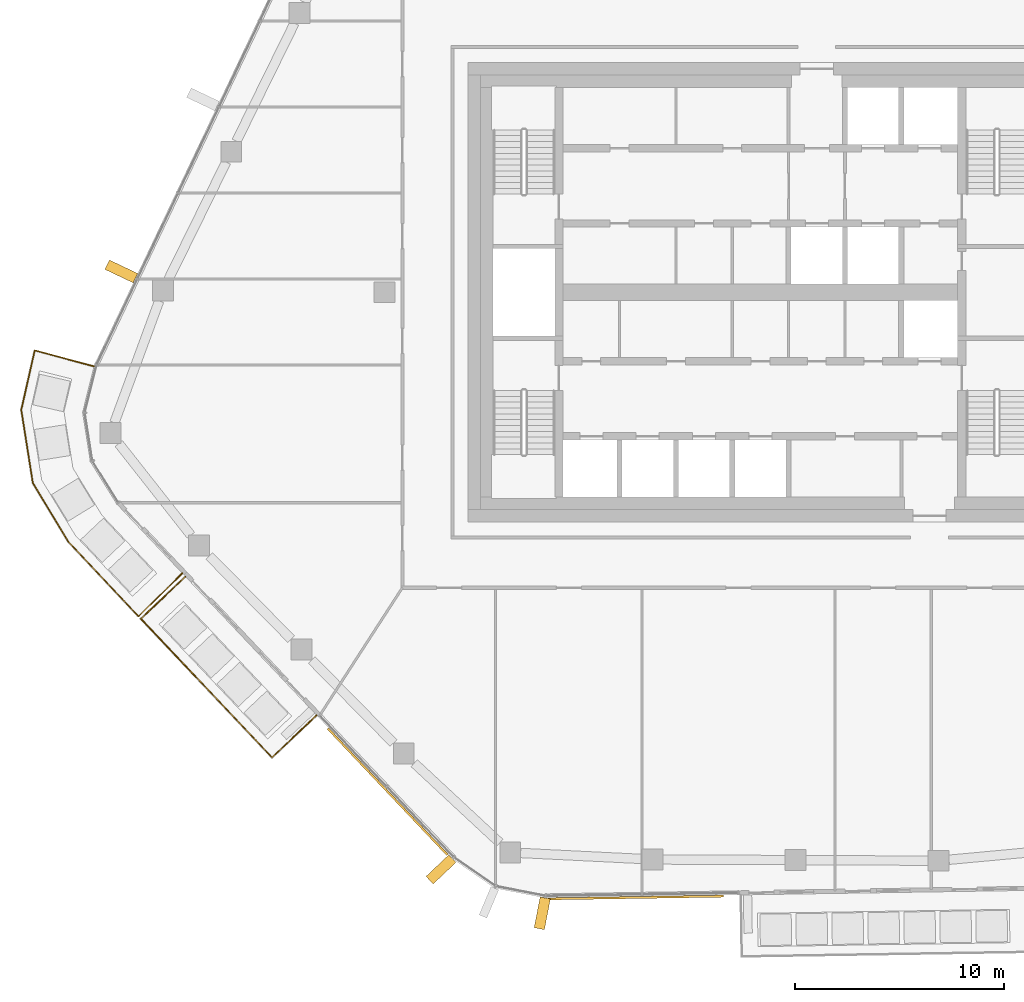
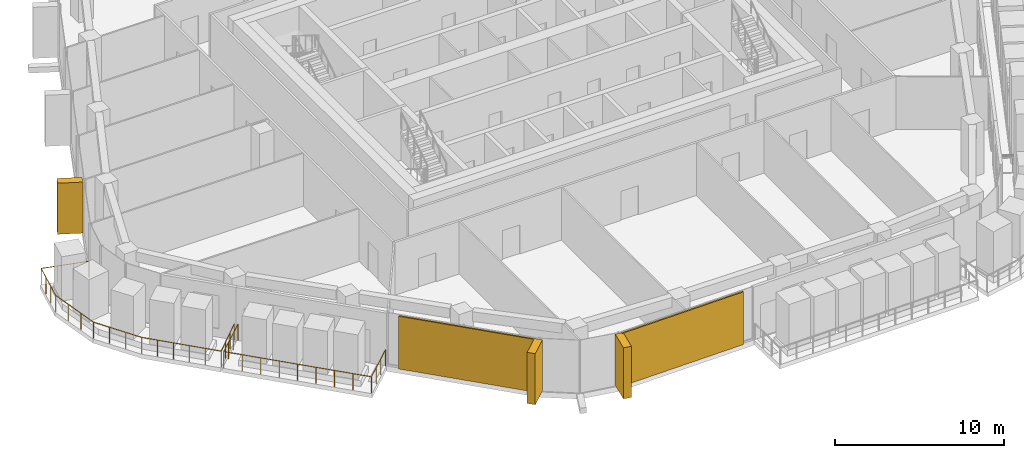
# One storey, part 18 of 24: 5 coverings, 2 railings, 4 elements without a shape of their own.
"""IFC4 building model written with IfcOpenShell, lengths in metres."""

from ifc_helpers import new_model, si_unit, direction, frame, origin, origin_2d, place, context, subcontext, project, spatial, rectangle, circle, extrude, material, layer, layer_set, material_profile, profile_set, type_object, element, aggregate, save


model = new_model("IFC4")

# Units and contexts
model_context = context("Model", 3, precision=1e-05, world=origin(), true_north=direction((0.0, 1.0)))
body_context = subcontext(model_context, "Body", "Model", "MODEL_VIEW")
ifc_project = project(units=[si_unit("LENGTHUNIT", "METRE"), si_unit("AREAUNIT", "SQUARE_METRE"), si_unit("VOLUMEUNIT", "CUBIC_METRE"), si_unit("PLANEANGLEUNIT", "RADIAN"), si_unit("MASSUNIT", "GRAM", prefix="KILO")], contexts=[model_context])

# Site, building, storey
site_placement = place(None, origin())
site = spatial("IfcSite", under=ifc_project, at=site_placement, CompositionType="ELEMENT")
building_placement = place(site_placement, origin())
building = spatial("IfcBuilding", under=site, at=building_placement, Name="Dongbaek Canopy Tower", CompositionType="ELEMENT")
storey_placement = place(building_placement, frame((0.0, 0.0, 302.60009765625)))
storey = spatial("IfcBuildingStorey", under=building, at=storey_placement, Name="L64", CompositionType="ELEMENT", Elevation=302.60009765625)

# Railings
ifc_material_1 = material(Name="Stainless steel", Category="steel")
railing_type = type_object("IfcRailingType", Name="Balcony balustrade 1200", PredefinedType="BALUSTRADE", material=ifc_material_1)
railing_1_placement = place(storey_placement, frame((-27.540283203125, -13.619384765625, 0.0)))
element("IfcRailing", 1, at=railing_1_placement, inside=storey, type_object=railing_type, Name="Balcony guard L64 3", PredefinedType="BALUSTRADE", context=body_context, shape_type="SweptSolid", body=[
    extrude(circle(Radius=0.02392578125, at=origin_2d()), frame((0.0, 0.0, 1.17578125), z_axis=(-0.726351881447, -0.687323027636, 0.0), x_axis=(0.687323027636, -0.726351881447, 0.0)), (0.0, 0.0, 1.0), 2.93994140625),
    extrude(circle(Radius=0.02392578125, at=origin_2d()), frame((-2.135498046875, -2.020751953125, 1.17578125), z_axis=(0.687311098706, -0.726363169217, 0.0), x_axis=(0.726363169217, 0.687311098706, 0.0)), (0.0, 0.0, 1.0), 9.139892578125),
    extrude(circle(Radius=0.02392578125, at=origin_2d()), frame((4.146484375, -8.65966796875, 1.17578125), z_axis=(0.726351881447, 0.687323027636, 0.0), x_axis=(-0.687323027636, 0.726351881447, 0.0)), (0.0, 0.0, 1.0), 2.93994140625),
    extrude(circle(Radius=0.02099609375, at=origin_2d()), origin(), (0.0, 0.0, 1.0), 1.15185546875),
    extrude(circle(Radius=0.02099609375, at=origin_2d()), frame((-0.7119140625, -0.673583984375, 0.0)), (0.0, 0.0, 1.0), 1.15185546875),
    extrude(circle(Radius=0.02099609375, at=origin_2d()), frame((-1.423583984375, -1.34716796875, 0.0)), (0.0, 0.0, 1.0), 1.15185546875),
    extrude(circle(Radius=0.02099609375, at=origin_2d()), frame((-2.135498046875, -2.020751953125, 0.0)), (0.0, 0.0, 1.0), 1.15185546875),
    extrude(circle(Radius=0.02099609375, at=origin_2d()), frame((-1.350341796875, -2.8505859375, 0.0)), (0.0, 0.0, 1.0), 1.15185546875),
    extrude(circle(Radius=0.02099609375, at=origin_2d()), frame((-0.56494140625, -3.680419921875, 0.0)), (0.0, 0.0, 1.0), 1.15185546875),
    extrude(circle(Radius=0.02099609375, at=origin_2d()), frame((0.22021484375, -4.51025390625, 0.0)), (0.0, 0.0, 1.0), 1.15185546875),
    extrude(circle(Radius=0.02099609375, at=origin_2d()), frame((1.00537109375, -5.34033203125, 0.0)), (0.0, 0.0, 1.0), 1.15185546875),
    extrude(circle(Radius=0.02099609375, at=origin_2d()), frame((1.790771484375, -6.170166015625, 0.0)), (0.0, 0.0, 1.0), 1.15185546875),
    extrude(circle(Radius=0.02099609375, at=origin_2d()), frame((2.575927734375, -7.0, 0.0)), (0.0, 0.0, 1.0), 1.15185546875),
    extrude(circle(Radius=0.02099609375, at=origin_2d()), frame((3.361328125, -7.829833984375, 0.0)), (0.0, 0.0, 1.0), 1.15185546875),
    extrude(circle(Radius=0.02099609375, at=origin_2d()), frame((4.146484375, -8.65966796875, 0.0)), (0.0, 0.0, 1.0), 1.15185546875),
    extrude(circle(Radius=0.02099609375, at=origin_2d()), frame((4.8583984375, -7.986083984375, 0.0)), (0.0, 0.0, 1.0), 1.15185546875),
    extrude(circle(Radius=0.02099609375, at=origin_2d()), frame((5.570068359375, -7.3125, 0.0)), (0.0, 0.0, 1.0), 1.15185546875),
    extrude(circle(Radius=0.02099609375, at=origin_2d()), frame((6.281982421875, -6.638916015625, 0.0)), (0.0, 0.0, 1.0), 1.15185546875),
])
railing_2_placement = place(storey_placement, frame((-31.92041015625, -3.548095703125, 0.0)))
element("IfcRailing", 2, at=railing_2_placement, inside=storey, type_object=railing_type, Name="Balcony guard L64 7", PredefinedType="BALUSTRADE", context=body_context, shape_type="SweptSolid", body=[
    extrude(circle(Radius=0.02392578125, at=origin_2d()), frame((0.0, 0.0, 1.17578125), z_axis=(-0.965425530821, 0.260679006516, 0.0), x_axis=(-0.260679006516, -0.965425530821, 0.0)), (0.0, 0.0, 1.0), 2.940673828125),
    extrude(circle(Radius=0.02392578125, at=origin_2d()), frame((-2.839111328125, 0.7666015625, 1.17578125), z_axis=(-0.221343008354, -0.975196017554, 0.0), x_axis=(0.975196017554, -0.221343008354, 0.0)), (0.0, 0.0, 1.0), 2.921875),
    extrude(circle(Radius=0.02392578125, at=origin_2d()), frame((-3.48583984375, -2.082763671875, 1.17578125), z_axis=(0.156456100519, -0.987684913629, 0.0), x_axis=(0.987684913629, 0.156456100519, 0.0)), (0.0, 0.0, 1.0), 3.55615234375),
    extrude(circle(Radius=0.02392578125, at=origin_2d()), frame((-2.929443359375, -5.59521484375, 1.17578125), z_axis=(0.51765867855, -0.855587220873, 0.0), x_axis=(0.855587220873, 0.51765867855, 0.0)), (0.0, 0.0, 1.0), 3.265625),
    extrude(circle(Radius=0.02392578125, at=origin_2d()), frame((-1.239013671875, -8.38916015625, 1.17578125), z_axis=(0.685132672139, -0.72841830123, 0.0), x_axis=(0.72841830123, 0.685132672139, 0.0)), (0.0, 0.0, 1.0), 4.923828125),
    extrude(circle(Radius=0.02392578125, at=origin_2d()), frame((2.134521484375, -11.975830078125, 1.17578125), z_axis=(0.712152918215, 0.702024373564, 0.0), x_axis=(-0.702024373564, 0.712152918215, 0.0)), (0.0, 0.0, 1.0), 2.940673828125),
    extrude(circle(Radius=0.02099609375, at=origin_2d()), origin(), (0.0, 0.0, 1.0), 1.15185546875),
    extrude(circle(Radius=0.02099609375, at=origin_2d()), frame((-0.9462890625, 0.255615234375, 0.0)), (0.0, 0.0, 1.0), 1.15185546875),
    extrude(circle(Radius=0.02099609375, at=origin_2d()), frame((-1.892822265625, 0.510986328125, 0.0)), (0.0, 0.0, 1.0), 1.15185546875),
    extrude(circle(Radius=0.02099609375, at=origin_2d()), frame((-2.839111328125, 0.7666015625, 0.0)), (0.0, 0.0, 1.0), 1.15185546875),
    extrude(circle(Radius=0.02099609375, at=origin_2d()), frame((-3.0546875, -0.18310546875, 0.0)), (0.0, 0.0, 1.0), 1.15185546875),
    extrude(circle(Radius=0.02099609375, at=origin_2d()), frame((-3.270263671875, -1.133056640625, 0.0)), (0.0, 0.0, 1.0), 1.15185546875),
    extrude(circle(Radius=0.02099609375, at=origin_2d()), frame((-3.48583984375, -2.082763671875, 0.0)), (0.0, 0.0, 1.0), 1.15185546875),
    extrude(circle(Radius=0.02099609375, at=origin_2d()), frame((-3.30029296875, -3.253662109375, 0.0)), (0.0, 0.0, 1.0), 1.15185546875),
    extrude(circle(Radius=0.02099609375, at=origin_2d()), frame((-3.114990234375, -4.42431640625, 0.0)), (0.0, 0.0, 1.0), 1.15185546875),
    extrude(circle(Radius=0.02099609375, at=origin_2d()), frame((-2.929443359375, -5.59521484375, 0.0)), (0.0, 0.0, 1.0), 1.15185546875),
    extrude(circle(Radius=0.02099609375, at=origin_2d()), frame((-2.365966796875, -6.526611328125, 0.0)), (0.0, 0.0, 1.0), 1.15185546875),
    extrude(circle(Radius=0.02099609375, at=origin_2d()), frame((-1.802490234375, -7.457763671875, 0.0)), (0.0, 0.0, 1.0), 1.15185546875),
    extrude(circle(Radius=0.02099609375, at=origin_2d()), frame((-1.239013671875, -8.38916015625, 0.0)), (0.0, 0.0, 1.0), 1.15185546875),
    extrude(circle(Radius=0.02099609375, at=origin_2d()), frame((-0.564208984375, -9.1064453125, 0.0)), (0.0, 0.0, 1.0), 1.15185546875),
    extrude(circle(Radius=0.02099609375, at=origin_2d()), frame((0.1103515625, -9.82373046875, 0.0)), (0.0, 0.0, 1.0), 1.15185546875),
    extrude(circle(Radius=0.02099609375, at=origin_2d()), frame((0.78515625, -10.541259765625, 0.0)), (0.0, 0.0, 1.0), 1.15185546875),
    extrude(circle(Radius=0.02099609375, at=origin_2d()), frame((1.459716796875, -11.258544921875, 0.0)), (0.0, 0.0, 1.0), 1.15185546875),
    extrude(circle(Radius=0.02099609375, at=origin_2d()), frame((2.134521484375, -11.975830078125, 0.0)), (0.0, 0.0, 1.0), 1.15185546875),
    extrude(circle(Radius=0.02099609375, at=origin_2d()), frame((2.83251953125, -11.28759765625, 0.0)), (0.0, 0.0, 1.0), 1.15185546875),
    extrude(circle(Radius=0.02099609375, at=origin_2d()), frame((3.53076171875, -10.599609375, 0.0)), (0.0, 0.0, 1.0), 1.15185546875),
    extrude(circle(Radius=0.02099609375, at=origin_2d()), frame((4.228759765625, -9.911376953125, 0.0)), (0.0, 0.0, 1.0), 1.15185546875),
])

# Curtain wall, covering
ifc_material_2 = material(Name="Aluminium 6063-T6 pale anodised", Category="aluminium")
ifc_layer_1 = layer(ifc_material_2, 0.199951171875)
ifc_layer_set_1 = layer_set([ifc_layer_1], Name="CW-1 unitised tower curtain wall")
curtain_wall_type = type_object("IfcCurtainWallType", Name="CW-1 unitised tower curtain wall", PredefinedType="NOTDEFINED", material=ifc_layer_set_1)
curtain_wall_1_placement = place(storey_placement, origin())
curtain_wall_1 = element("IfcCurtainWall", 3, at=curtain_wall_1_placement, inside=storey, type_object=curtain_wall_type, Name="CW-1 curtain wall F3.1", PredefinedType="NOTDEFINED")
ifc_material_3 = material(Name="Perforated aluminium 6063-T6 pale metal screen", Category="aluminium")
ifc_layer_2 = layer(ifc_material_3, 0.10009765625)
ifc_layer_set_2 = layer_set([ifc_layer_2], Name="Facet screen FS1 100 pale metal")
covering_type_1 = type_object("IfcCoveringType", Name="Facet screen FS1 100 pale metal", PredefinedType="CLADDING", material=ifc_layer_set_2)
covering_1_placement = place(storey_placement, frame((-17.854248046875, -23.92236328125, 0.0), z_axis=(0.0, 0.0, 1.0), x_axis=(0.687319540255, -0.726355181425, 0.0)))
covering_1 = element("IfcCovering", 4, at=covering_1_placement, type_object=covering_type_1, Name="Facet screen L64 F3", PredefinedType="CLADDING", context=body_context, shape_type="SweptSolid", body=[
    extrude(rectangle(XDim=8.33740234375, YDim=0.10009765625, at=origin_2d()), origin(), (0.0, 0.0, 1.0), 3.820068359375),
])

curtain_wall_2_placement = place(storey_placement, origin())
curtain_wall_2 = element("IfcCurtainWall", 5, at=curtain_wall_2_placement, inside=storey, type_object=curtain_wall_type, Name="CW-1 curtain wall F4.1", PredefinedType="NOTDEFINED")
covering_2_placement = place(storey_placement, frame((-5.96728515625, -28.990478515625, 0.0), z_axis=(0.0, 0.0, 1.0), x_axis=(0.999876988612, 0.015684630827, 0.0)))
covering_2 = element("IfcCovering", 6, at=covering_2_placement, type_object=covering_type_1, Name="Facet screen L64 F4", PredefinedType="CLADDING", context=body_context, shape_type="SweptSolid", body=[
    extrude(rectangle(XDim=8.40771484375, YDim=0.10009765625, at=origin_2d()), origin(), (0.0, 0.0, 1.0), 3.820068359375),
])
aggregate(curtain_wall_2, [covering_2])

curtain_wall_3_placement = place(storey_placement, origin())
curtain_wall_3 = element("IfcCurtainWall", 7, at=curtain_wall_3_placement, inside=storey, type_object=curtain_wall_type, Name="CW-1 curtain wall F2.1", PredefinedType="NOTDEFINED")
ifc_material_4 = material(Name="Aluminium 6063-T6 pale metal fin", Category="aluminium")
ifc_material_profile = material_profile(ifc_material_4, rectangle(XDim=1.5, YDim=0.5, at=origin_2d()), Name="Fin FN1 500 x 1500 pale metal")
ifc_profile_set = profile_set([ifc_material_profile], Name="Aluminium 6063-T6 pale metal fin")
covering_type_2 = type_object("IfcCoveringType", Name="Fin FN1 500 x 1500 pale metal", PredefinedType="CLADDING", material=ifc_profile_set)
covering_3_placement = place(storey_placement, frame((-30.614013671875, 1.000244140625, 0.119873046875), z_axis=(0.0, 0.0, 1.0), x_axis=(-0.903236413866, 0.429143310174, 0.0)))
covering_3 = element("IfcCovering", 8, at=covering_3_placement, type_object=covering_type_2, Name="Fin F2.1.7", PredefinedType="CLADDING", context=body_context, shape_type="SweptSolid", body=[
    extrude(rectangle(XDim=1.5, YDim=0.5, at=origin_2d()), origin(), (0.0, 0.0, 1.0), 3.699951171875),
])
aggregate(curtain_wall_3, [covering_3])

# Covering
covering_4_placement = place(storey_placement, frame((-15.30126953125, -27.644775390625, 0.119873046875), z_axis=(0.0, 0.0, 1.0), x_axis=(-0.72635486076, -0.687319879132, 0.0)))
covering_4 = element("IfcCovering", 9, at=covering_4_placement, type_object=covering_type_2, Name="Fin F3.1.3", PredefinedType="CLADDING", context=body_context, shape_type="SweptSolid", body=[
    extrude(rectangle(XDim=1.5, YDim=0.5, at=origin_2d()), origin(), (0.0, 0.0, 1.0), 3.699951171875),
])

aggregate(curtain_wall_1, [covering_4, covering_1])

# Curtain wall, covering
curtain_wall_4_placement = place(storey_placement, origin())
curtain_wall_4 = element("IfcCurtainWall", 10, at=curtain_wall_4_placement, inside=storey, type_object=curtain_wall_type, Name="CW-1 curtain wall K4.1", PredefinedType="NOTDEFINED")
covering_5_placement = place(storey_placement, frame((-10.449951171875, -29.74658203125, 0.119873046875), z_axis=(0.0, 0.0, 1.0), x_axis=(-0.190319354711, -0.981722233232, 0.0)))
covering_5 = element("IfcCovering", 11, at=covering_5_placement, type_object=covering_type_2, Name="Fin K4.1.3", PredefinedType="CLADDING", context=body_context, shape_type="SweptSolid", body=[
    extrude(rectangle(XDim=1.5, YDim=0.5, at=origin_2d()), origin(), (0.0, 0.0, 1.0), 3.699951171875),
])
aggregate(curtain_wall_4, [covering_5])

save(model, "model.ifc")
